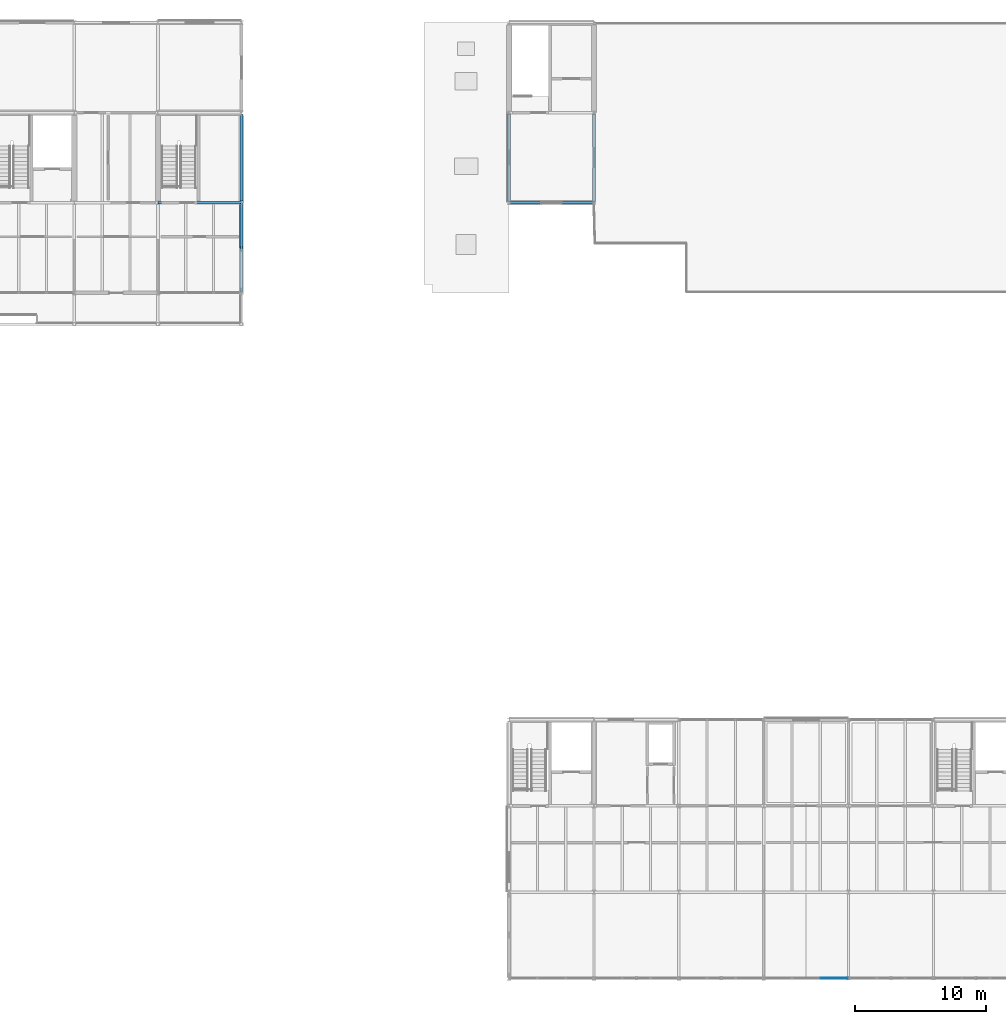
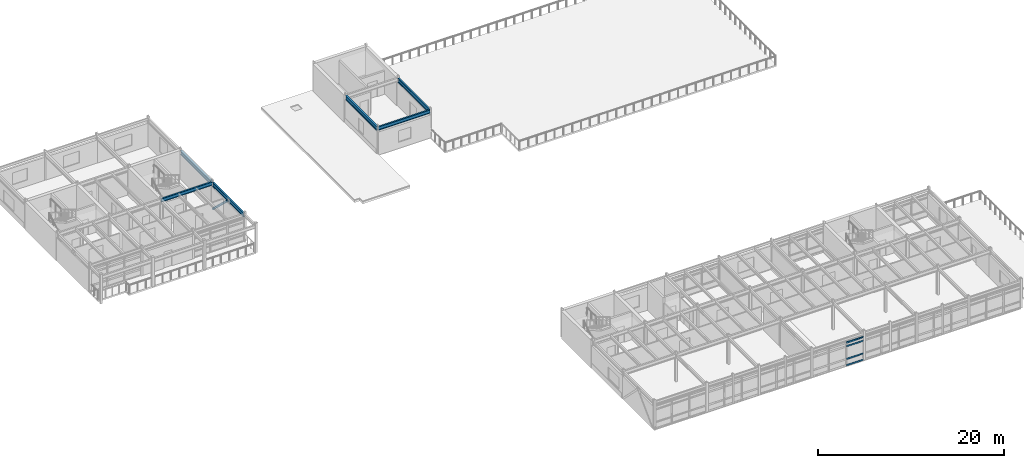
# One storey, part 10 of 26: 6 beams, 5 members, 1 element without a shape of its own.
"""IFC4 building model written with IfcOpenShell, lengths in metres."""

from ifc_helpers import new_model, si_unit, direction, frame, origin, origin_2d, place, context, subcontext, project, spatial, rectangle, hollow_circle, i_section, extrude, material, layer, layer_set, material_profile, profile_set, type_object, element, aggregate, save


model = new_model("IFC4")

# Units and contexts
model_context = context("Model", 3, precision=1e-05, world=origin(), true_north=direction((0.0, 1.0)))
body_context = subcontext(model_context, "Body", "Model", "MODEL_VIEW")
ifc_project = project(units=[si_unit("LENGTHUNIT", "METRE"), si_unit("AREAUNIT", "SQUARE_METRE"), si_unit("VOLUMEUNIT", "CUBIC_METRE"), si_unit("PLANEANGLEUNIT", "RADIAN"), si_unit("MASSUNIT", "GRAM", prefix="KILO")], contexts=[model_context])

# Site, building, storey
site_placement = place(None, origin())
site = spatial("IfcSite", under=ifc_project, at=site_placement, CompositionType="ELEMENT")
building_placement = place(site_placement, origin())
building = spatial("IfcBuilding", under=site, at=building_placement, Name="Trelmorton Wharf Fire Station", CompositionType="ELEMENT")
storey_placement = place(building_placement, frame((0.0, 0.0, 17.39990234375)))
storey = spatial("IfcBuildingStorey", under=building, at=storey_placement, Name="L04", CompositionType="ELEMENT", Elevation=17.39990234375)

# Beams
ifc_material_1 = material(Name="Steel Grade 350", Category="steel")
ifc_material_profile_1 = material_profile(ifc_material_1, i_section(OverallWidth=0.18994140625, OverallDepth=0.45703125, WebThickness=0.009033203125, FlangeThickness=0.014404296875, FilletRadius=0.011474609375, at=origin_2d()), Name="460UB74.6")
ifc_profile_set_1 = profile_set([ifc_material_profile_1], Name="Steel Grade 350")
beam_type_1 = type_object("IfcBeamType", Name="BM_460UB75", PredefinedType="BEAM", material=ifc_profile_set_1)
beam_1_placement = place(storey_placement, frame((83.60400390625, 67.199951171875, 3.401611328125), z_axis=(1.0, 0.0, 0.0), x_axis=(0.0, 1.0, 0.0)))
element("IfcBeam", 1, at=beam_1_placement, inside=storey, type_object=beam_type_1, Name="BM-L04-1070", PredefinedType="BEAM", context=body_context, shape_type="SweptSolid", body=[
    extrude(i_section(OverallWidth=0.18994140625, OverallDepth=0.45703125, WebThickness=0.009033203125, FlangeThickness=0.014404296875, FilletRadius=0.011474609375, at=origin_2d()), origin(), (0.0, 0.0, 1.0), 6.39208984375),
])
beam_2_placement = place(storey_placement, frame((110.50390625, 67.199951171875, 3.401611328125), z_axis=(1.0, 0.0, 0.0), x_axis=(0.0, 1.0, 0.0)))
element("IfcBeam", 2, at=beam_2_placement, inside=storey, type_object=beam_type_1, Name="BM-L04-1071", PredefinedType="BEAM", context=body_context, shape_type="SweptSolid", body=[
    extrude(i_section(OverallWidth=0.18994140625, OverallDepth=0.45703125, WebThickness=0.009033203125, FlangeThickness=0.014404296875, FilletRadius=0.011474609375, at=origin_2d()), origin(), (0.0, 0.0, 1.0), 6.4921875),
])
ifc_material_profile_2 = material_profile(ifc_material_1, i_section(OverallWidth=0.208984375, OverallDepth=0.532958984375, WebThickness=0.01025390625, FlangeThickness=0.015625, FilletRadius=0.013916015625, at=origin_2d()), Name="530UB92.4")
ifc_profile_set_2 = profile_set([ifc_material_profile_2], Name="Steel Grade 350")
beam_type_2 = type_object("IfcBeamType", Name="BM_530UB92", PredefinedType="BEAM", material=ifc_profile_set_2)
beam_3_placement = place(storey_placement, frame((90.0, 60.4208984375, 3.363525390625), z_axis=(0.0, 1.0, 0.0), x_axis=(-1.0, 0.0, 0.0)))
element("IfcBeam", 3, at=beam_3_placement, inside=storey, type_object=beam_type_2, Name="BM-L04-1093", PredefinedType="BEAM", context=body_context, shape_type="SweptSolid", body=[
    extrude(i_section(OverallWidth=0.208984375, OverallDepth=0.532958984375, WebThickness=0.01025390625, FlangeThickness=0.015625, FilletRadius=0.013916015625, at=origin_2d()), origin(), (0.0, 0.0, 1.0), 6.653076171875),
])
beam_4_placement = place(storey_placement, frame((90.0, 67.325927734375, 3.363525390625), z_axis=(0.0, 1.0, 0.0), x_axis=(-1.0, 0.0, 0.0)))
element("IfcBeam", 4, at=beam_4_placement, inside=storey, type_object=beam_type_2, Name="BM-L04-1094", PredefinedType="BEAM", context=body_context, shape_type="SweptSolid", body=[
    extrude(i_section(OverallWidth=0.208984375, OverallDepth=0.532958984375, WebThickness=0.01025390625, FlangeThickness=0.015625, FilletRadius=0.013916015625, at=origin_2d()), origin(), (0.0, 0.0, 1.0), 6.648193359375),
])
for number, where, z_axis, x_axis, name in (
    (5, (110.5, 67.301025390625, 3.363525390625), (0.0, 1.0, 0.0), (-1.0, 0.0, 0.0), "BM-L04-1099"),
    (6, (117.0, 67.301025390625, 3.363525390625), (0.0, 1.0, 0.0), (-1.0, 0.0, 0.0), "BM-L04-1104"),
):
    element("IfcBeam", number, at=place(storey_placement, frame(where, z_axis=z_axis, x_axis=x_axis)), inside=storey, type_object=beam_type_2, Name=name, PredefinedType="BEAM", context=body_context, shape_type="SweptSolid", body=[
        extrude(i_section(OverallWidth=0.208984375, OverallDepth=0.532958984375, WebThickness=0.01025390625, FlangeThickness=0.015625, FilletRadius=0.013916015625, at=origin_2d()), origin(), (0.0, 0.0, 1.0), 6.697998046875),
    ])

# Member
ifc_material_2 = material(Name="Steel C350L0 (350 MPa)", Category="steel")
ifc_material_profile_3 = material_profile(ifc_material_2, hollow_circle(Radius=0.136474609375, WallThickness=0.00927734375, at=origin_2d()), Name="273.1x9.3CHS")
ifc_profile_set_3 = profile_set([ifc_material_profile_3], Name="Steel C350L0 (350 MPa)")
member_type_1 = type_object("IfcMemberType", Name="BR_273CHS", PredefinedType="BRACE", material=ifc_profile_set_3)
member_1_placement = place(storey_placement, frame((90.0, 67.072998046875, 0.1201171875), z_axis=(0.0, -0.724665699135, 0.689100590986), x_axis=(1.0, 0.0, 0.0)))
element("IfcMember", 7, at=member_1_placement, inside=storey, type_object=member_type_1, Name="CBF-V2-E-L04-B", PredefinedType="BRACE", context=body_context, shape_type="SweptSolid", body=[
    extrude(hollow_circle(Radius=0.136474609375, WallThickness=0.00927734375, at=origin_2d()), origin(), (0.0, 0.0, 1.0), 4.58544921875),
])

# Curtain wall, members
ifc_material_3 = material(Name="Anodised aluminium AW-6063", Category="aluminium")
ifc_layer = layer(ifc_material_3, 0.175048828125)
ifc_layer_set = layer_set([ifc_layer], Name="Anodised aluminium AW-6063")
curtain_wall_type = type_object("IfcCurtainWallType", Name="CW_CHIC_B", PredefinedType="USERDEFINED", material=ifc_layer_set)
curtain_wall_placement = place(storey_placement, origin())
curtain_wall = element("IfcCurtainWall", 8, at=curtain_wall_placement, inside=storey, type_object=curtain_wall_type, Name="CW-V5-L04-075", ObjectType="CHICAGO BAY CURTAIN WALL", PredefinedType="USERDEFINED")
ifc_material_profile_4 = material_profile(ifc_material_3, rectangle(XDim=0.06494140625, YDim=0.139892578125, at=origin_2d()), Name="ALU-65x140")
ifc_profile_set_4 = profile_set([ifc_material_profile_4], Name="Anodised aluminium AW-6063")
member_type_2 = type_object("IfcMemberType", Name="CWT_65x140", PredefinedType="USERDEFINED", material=ifc_profile_set_4)
member_2_placement = place(storey_placement, frame((136.43505859375, 7.800048828125, 0.030029296875), z_axis=(-1.0, 0.0, 0.0), x_axis=(0.0, -1.0, 0.0)))
member_2 = element("IfcMember", 9, at=member_2_placement, type_object=member_type_2, Name="CW2 transom 1.1", ObjectType="TRANSOM", PredefinedType="USERDEFINED", context=body_context, shape_type="SweptSolid", body=[
    extrude(rectangle(XDim=0.06494140625, YDim=0.139892578125, at=origin_2d()), origin(), (0.0, 0.0, 1.0), 2.073486328125),
])
member_3_placement = place(storey_placement, frame((136.43505859375, 7.800048828125, 0.85009765625), z_axis=(-1.0, 0.0, 0.0), x_axis=(0.0, -1.0, 0.0)))
member_3 = element("IfcMember", 10, at=member_3_placement, type_object=member_type_2, Name="CW2 transom 1.2", ObjectType="TRANSOM", PredefinedType="USERDEFINED", context=body_context, shape_type="SweptSolid", body=[
    extrude(rectangle(XDim=0.06494140625, YDim=0.139892578125, at=origin_2d()), origin(), (0.0, 0.0, 1.0), 2.073486328125),
])
member_4_placement = place(storey_placement, frame((136.43505859375, 7.800048828125, 2.52001953125), z_axis=(-1.0, 0.0, 0.0), x_axis=(0.0, -1.0, 0.0)))
member_4 = element("IfcMember", 11, at=member_4_placement, type_object=member_type_2, Name="CW2 transom 1.3", ObjectType="TRANSOM", PredefinedType="USERDEFINED", context=body_context, shape_type="SweptSolid", body=[
    extrude(rectangle(XDim=0.06494140625, YDim=0.139892578125, at=origin_2d()), origin(), (0.0, 0.0, 1.0), 2.073486328125),
])
member_5_placement = place(storey_placement, frame((136.43505859375, 7.800048828125, 2.989990234375), z_axis=(-1.0, 0.0, 0.0), x_axis=(0.0, -1.0, 0.0)))
member_5 = element("IfcMember", 12, at=member_5_placement, type_object=member_type_2, Name="CW2 transom 1.4", ObjectType="TRANSOM", PredefinedType="USERDEFINED", context=body_context, shape_type="SweptSolid", body=[
    extrude(rectangle(XDim=0.06494140625, YDim=0.139892578125, at=origin_2d()), origin(), (0.0, 0.0, 1.0), 2.073486328125),
])
aggregate(curtain_wall, [member_2, member_3, member_4, member_5])

save(model, "model.ifc")
